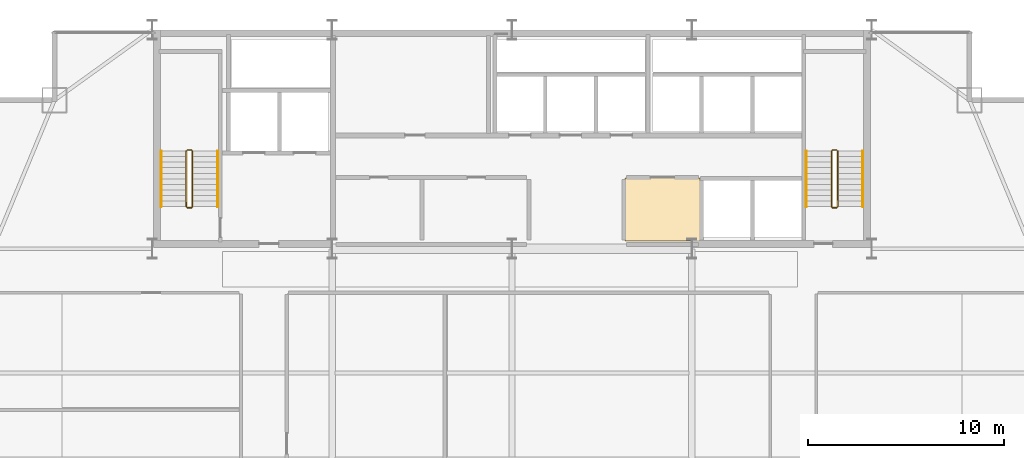
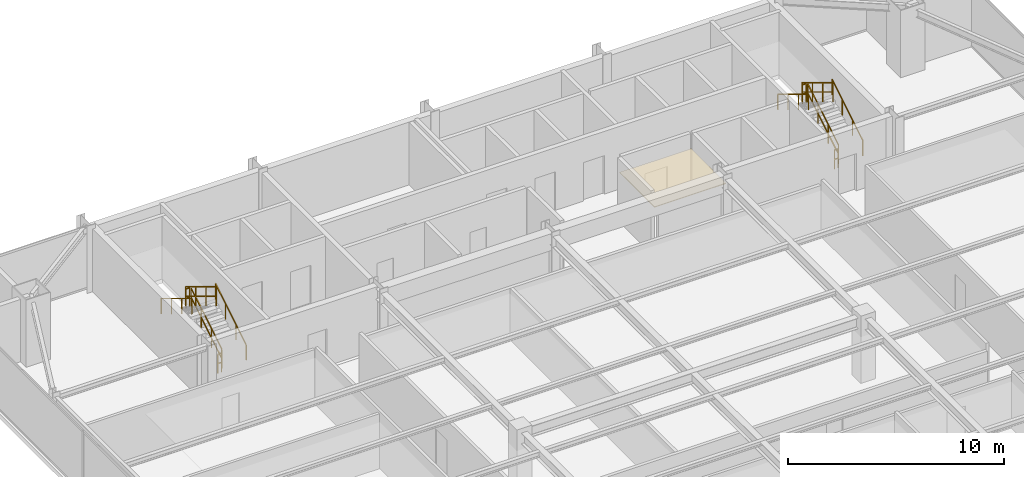
# One storey, part 30 of 30: 12 railings, 1 covering.
"""IFC4 building model written with IfcOpenShell, lengths in metres."""

from ifc_helpers import new_model, si_unit, direction, frame, origin, origin_2d, place, context, subcontext, project, spatial, polyline, rectangle, outline, extrude, material, layer, layer_set, type_object, element, save


model = new_model("IFC4")

# Units and contexts
model_context = context("Model", 3, precision=1e-05, world=origin(), true_north=direction((0.0, 1.0)))
body_context = subcontext(model_context, "Body", "Model", "MODEL_VIEW")
ifc_project = project(units=[si_unit("LENGTHUNIT", "METRE"), si_unit("AREAUNIT", "SQUARE_METRE"), si_unit("VOLUMEUNIT", "CUBIC_METRE"), si_unit("PLANEANGLEUNIT", "RADIAN"), si_unit("MASSUNIT", "GRAM", prefix="KILO")], contexts=[model_context])

# Site, building, storey
site_placement = place(None, origin())
site = spatial("IfcSite", under=ifc_project, at=site_placement, CompositionType="ELEMENT")
building_placement = place(site_placement, origin())
building = spatial("IfcBuilding", under=site, at=building_placement, Name="Varnel Quay Broadcast Tower", CompositionType="ELEMENT")
storey_placement = place(building_placement, frame((0.0, 0.0, 168.60009765625)))
storey = spatial("IfcBuildingStorey", under=building, at=storey_placement, Name="L41", CompositionType="ELEMENT", Elevation=168.60009765625)

# Covering
ifc_material_1 = material(Name="Micro-Perforated Acoustic Ceiling Tile")
ifc_layer = layer(ifc_material_1, 0.0400390625, Name="Micro-Perforated Acoustic Ceiling Tile")
ifc_layer_set = layer_set([ifc_layer], Name="Micro-Perforated Acoustic Ceiling Tile")
covering_type = type_object("IfcCoveringType", Name="Cov_AcousticCeiling", PredefinedType="CEILING", material=ifc_layer_set)
covering_placement = place(storey_placement, frame((0.0, 0.0, 2.579833984375)))
element("IfcCovering", 1, at=covering_placement, inside=storey, type_object=covering_type, Name="L41 Electrical Sub-Distribution Closet Acoustic Ceiling", PredefinedType="CEILING", context=body_context, shape_type="SweptSolid", body=[
    extrude(outline(polyline([(39.784912109375, 35.985107421875), (43.614990234375, 35.985107421875), (43.614990234375, 39.215087890625), (39.784912109375, 39.215087890625), (39.784912109375, 35.985107421875)])), origin(), (0.0, 0.0, 1.0), 0.0400390625),
])

# Railings
ifc_material_2 = material(Name="Painted Steel Guard and Handrail CSA G40.21 350W", Category="steel")
railing_type_1 = type_object("IfcRailingType", Name="Rail_StairGuard1100", PredefinedType="GUARDRAIL", material=ifc_material_2)
railing_1_placement = place(storey_placement, frame((17.64990234375, 37.75, 0.172607421875)))
element("IfcRailing", 2, at=railing_1_placement, inside=storey, type_object=railing_type_1, Name="L41 ST-01 stair guard 1", PredefinedType="GUARDRAIL", context=body_context, shape_type="SweptSolid", body=[
    extrude(rectangle(XDim=0.048095703125, YDim=0.048095703125, at=origin_2d()), frame((0.0, 0.0, 1.076171875), z_axis=(0.0, 0.855202751398, 0.518293598264), x_axis=(-1.0, 0.0, 0.0)), (0.0, 0.0, 1.0), 3.332763671875),
    extrude(rectangle(XDim=0.048095703125, YDim=0.048095703125, at=origin_2d()), frame((0.0, 0.0, 0.550048828125), z_axis=(0.0, 0.855202751398, 0.518293598264), x_axis=(-1.0, 0.0, 0.0)), (0.0, 0.0, 1.0), 3.332763671875),
    extrude(rectangle(XDim=0.0419921875, YDim=0.0419921875, at=origin_2d()), origin(), (0.0, 0.0, 1.0), 1.052001953125),
    extrude(rectangle(XDim=0.0419921875, YDim=0.0419921875, at=origin_2d()), frame((0.0, 0.949951171875, 0.57568359375)), (0.0, 0.0, 1.0), 1.052001953125),
    extrude(rectangle(XDim=0.0419921875, YDim=0.0419921875, at=origin_2d()), frame((0.0, 1.900146484375, 1.151611328125)), (0.0, 0.0, 1.0), 1.052001953125),
    extrude(rectangle(XDim=0.0419921875, YDim=0.0419921875, at=origin_2d()), frame((0.0, 2.85009765625, 1.727294921875)), (0.0, 0.0, 1.0), 1.052001953125),
])
railing_2_placement = place(storey_placement, frame((17.60009765625, 40.64990234375, 1.89990234375)))
element("IfcRailing", 3, at=railing_2_placement, inside=storey, type_object=railing_type_1, Name="L41 ST-01 stair guard 2", PredefinedType="GUARDRAIL", context=body_context, shape_type="SweptSolid", body=[
    extrude(rectangle(XDim=0.048095703125, YDim=0.048095703125, at=origin_2d()), frame((0.0, 0.0, 1.076171875), z_axis=(-1.0, 0.0, 0.0), x_axis=(0.0, -1.0, 0.0)), (0.0, 0.0, 1.0), 0.2001953125),
    extrude(rectangle(XDim=0.048095703125, YDim=0.048095703125, at=origin_2d()), frame((0.0, 0.0, 0.550048828125), z_axis=(-1.0, 0.0, 0.0), x_axis=(0.0, -1.0, 0.0)), (0.0, 0.0, 1.0), 0.2001953125),
    extrude(rectangle(XDim=0.0419921875, YDim=0.0419921875, at=origin_2d()), origin(), (0.0, 0.0, 1.0), 1.052001953125),
    extrude(rectangle(XDim=0.0419921875, YDim=0.0419921875, at=origin_2d()), frame((-0.2001953125, 0.0, 0.0)), (0.0, 0.0, 1.0), 1.052001953125),
])
railing_3_placement = place(storey_placement, frame((17.35009765625, 40.60009765625, 2.072509765625)))
element("IfcRailing", 4, at=railing_3_placement, inside=storey, type_object=railing_type_1, Name="L41 ST-01 stair guard 3", PredefinedType="GUARDRAIL", context=body_context, shape_type="SweptSolid", body=[
    extrude(rectangle(XDim=0.048095703125, YDim=0.048095703125, at=origin_2d()), frame((0.0, 0.0, 1.076171875), z_axis=(0.0, -0.855202751398, 0.518293598264), x_axis=(1.0, 0.0, 0.0)), (0.0, 0.0, 1.0), 3.332763671875),
    extrude(rectangle(XDim=0.048095703125, YDim=0.048095703125, at=origin_2d()), frame((0.0, 0.0, 0.550048828125), z_axis=(0.0, -0.855202751398, 0.518293598264), x_axis=(1.0, 0.0, 0.0)), (0.0, 0.0, 1.0), 3.332763671875),
    extrude(rectangle(XDim=0.0419921875, YDim=0.0419921875, at=origin_2d()), origin(), (0.0, 0.0, 1.0), 1.052001953125),
    extrude(rectangle(XDim=0.0419921875, YDim=0.0419921875, at=origin_2d()), frame((0.0, -0.949951171875, 0.57568359375)), (0.0, 0.0, 1.0), 1.052001953125),
    extrude(rectangle(XDim=0.0419921875, YDim=0.0419921875, at=origin_2d()), frame((0.0, -1.900146484375, 1.151611328125)), (0.0, 0.0, 1.0), 1.052001953125),
    extrude(rectangle(XDim=0.0419921875, YDim=0.0419921875, at=origin_2d()), frame((0.0, -2.85009765625, 1.727294921875)), (0.0, 0.0, 1.0), 1.052001953125),
])
railing_4_placement = place(storey_placement, frame((17.60009765625, 37.699951171875, 0.0)))
element("IfcRailing", 5, at=railing_4_placement, inside=storey, type_object=railing_type_1, Name="L41 ST-01 stair guard 4", PredefinedType="GUARDRAIL", context=body_context, shape_type="SweptSolid", body=[
    extrude(rectangle(XDim=0.048095703125, YDim=0.048095703125, at=origin_2d()), frame((0.0, 0.0, 1.076171875), z_axis=(-1.0, 0.0, 0.0), x_axis=(0.0, -1.0, 0.0)), (0.0, 0.0, 1.0), 0.2001953125),
    extrude(rectangle(XDim=0.048095703125, YDim=0.048095703125, at=origin_2d()), frame((0.0, 0.0, 0.550048828125), z_axis=(-1.0, 0.0, 0.0), x_axis=(0.0, -1.0, 0.0)), (0.0, 0.0, 1.0), 0.2001953125),
    extrude(rectangle(XDim=0.0419921875, YDim=0.0419921875, at=origin_2d()), origin(), (0.0, 0.0, 1.0), 1.052001953125),
    extrude(rectangle(XDim=0.0419921875, YDim=0.0419921875, at=origin_2d()), frame((-0.2001953125, 0.0, 0.0)), (0.0, 0.0, 1.0), 1.052001953125),
])
railing_5_placement = place(storey_placement, frame((50.64990234375, 37.75, 0.172607421875)))
element("IfcRailing", 6, at=railing_5_placement, inside=storey, type_object=railing_type_1, Name="L41 ST-02 stair guard 1", PredefinedType="GUARDRAIL", context=body_context, shape_type="SweptSolid", body=[
    extrude(rectangle(XDim=0.048095703125, YDim=0.048095703125, at=origin_2d()), frame((0.0, 0.0, 1.076171875), z_axis=(0.0, 0.855202751398, 0.518293598264), x_axis=(-1.0, 0.0, 0.0)), (0.0, 0.0, 1.0), 3.332763671875),
    extrude(rectangle(XDim=0.048095703125, YDim=0.048095703125, at=origin_2d()), frame((0.0, 0.0, 0.550048828125), z_axis=(0.0, 0.855202751398, 0.518293598264), x_axis=(-1.0, 0.0, 0.0)), (0.0, 0.0, 1.0), 3.332763671875),
    extrude(rectangle(XDim=0.0419921875, YDim=0.0419921875, at=origin_2d()), origin(), (0.0, 0.0, 1.0), 1.052001953125),
    extrude(rectangle(XDim=0.0419921875, YDim=0.0419921875, at=origin_2d()), frame((0.0, 0.949951171875, 0.57568359375)), (0.0, 0.0, 1.0), 1.052001953125),
    extrude(rectangle(XDim=0.0419921875, YDim=0.0419921875, at=origin_2d()), frame((0.0, 1.900146484375, 1.151611328125)), (0.0, 0.0, 1.0), 1.052001953125),
    extrude(rectangle(XDim=0.0419921875, YDim=0.0419921875, at=origin_2d()), frame((0.0, 2.85009765625, 1.727294921875)), (0.0, 0.0, 1.0), 1.052001953125),
])
railing_6_placement = place(storey_placement, frame((50.60009765625, 40.64990234375, 1.89990234375)))
element("IfcRailing", 7, at=railing_6_placement, inside=storey, type_object=railing_type_1, Name="L41 ST-02 stair guard 2", PredefinedType="GUARDRAIL", context=body_context, shape_type="SweptSolid", body=[
    extrude(rectangle(XDim=0.048095703125, YDim=0.048095703125, at=origin_2d()), frame((0.0, 0.0, 1.076171875), z_axis=(-1.0, 0.0, 0.0), x_axis=(0.0, -1.0, 0.0)), (0.0, 0.0, 1.0), 0.2001953125),
    extrude(rectangle(XDim=0.048095703125, YDim=0.048095703125, at=origin_2d()), frame((0.0, 0.0, 0.550048828125), z_axis=(-1.0, 0.0, 0.0), x_axis=(0.0, -1.0, 0.0)), (0.0, 0.0, 1.0), 0.2001953125),
    extrude(rectangle(XDim=0.0419921875, YDim=0.0419921875, at=origin_2d()), origin(), (0.0, 0.0, 1.0), 1.052001953125),
    extrude(rectangle(XDim=0.0419921875, YDim=0.0419921875, at=origin_2d()), frame((-0.2001953125, 0.0, 0.0)), (0.0, 0.0, 1.0), 1.052001953125),
])
railing_7_placement = place(storey_placement, frame((50.35009765625, 40.60009765625, 2.072509765625)))
element("IfcRailing", 8, at=railing_7_placement, inside=storey, type_object=railing_type_1, Name="L41 ST-02 stair guard 3", PredefinedType="GUARDRAIL", context=body_context, shape_type="SweptSolid", body=[
    extrude(rectangle(XDim=0.048095703125, YDim=0.048095703125, at=origin_2d()), frame((0.0, 0.0, 1.076171875), z_axis=(0.0, -0.855202751398, 0.518293598264), x_axis=(1.0, 0.0, 0.0)), (0.0, 0.0, 1.0), 3.332763671875),
    extrude(rectangle(XDim=0.048095703125, YDim=0.048095703125, at=origin_2d()), frame((0.0, 0.0, 0.550048828125), z_axis=(0.0, -0.855202751398, 0.518293598264), x_axis=(1.0, 0.0, 0.0)), (0.0, 0.0, 1.0), 3.332763671875),
    extrude(rectangle(XDim=0.0419921875, YDim=0.0419921875, at=origin_2d()), origin(), (0.0, 0.0, 1.0), 1.052001953125),
    extrude(rectangle(XDim=0.0419921875, YDim=0.0419921875, at=origin_2d()), frame((0.0, -0.949951171875, 0.57568359375)), (0.0, 0.0, 1.0), 1.052001953125),
    extrude(rectangle(XDim=0.0419921875, YDim=0.0419921875, at=origin_2d()), frame((0.0, -1.900146484375, 1.151611328125)), (0.0, 0.0, 1.0), 1.052001953125),
    extrude(rectangle(XDim=0.0419921875, YDim=0.0419921875, at=origin_2d()), frame((0.0, -2.85009765625, 1.727294921875)), (0.0, 0.0, 1.0), 1.052001953125),
])
railing_8_placement = place(storey_placement, frame((50.60009765625, 37.699951171875, 0.0)))
element("IfcRailing", 9, at=railing_8_placement, inside=storey, type_object=railing_type_1, Name="L41 ST-02 stair guard 4", PredefinedType="GUARDRAIL", context=body_context, shape_type="SweptSolid", body=[
    extrude(rectangle(XDim=0.048095703125, YDim=0.048095703125, at=origin_2d()), frame((0.0, 0.0, 1.076171875), z_axis=(-1.0, 0.0, 0.0), x_axis=(0.0, -1.0, 0.0)), (0.0, 0.0, 1.0), 0.2001953125),
    extrude(rectangle(XDim=0.048095703125, YDim=0.048095703125, at=origin_2d()), frame((0.0, 0.0, 0.550048828125), z_axis=(-1.0, 0.0, 0.0), x_axis=(0.0, -1.0, 0.0)), (0.0, 0.0, 1.0), 0.2001953125),
    extrude(rectangle(XDim=0.0419921875, YDim=0.0419921875, at=origin_2d()), origin(), (0.0, 0.0, 1.0), 1.052001953125),
    extrude(rectangle(XDim=0.0419921875, YDim=0.0419921875, at=origin_2d()), frame((-0.2001953125, 0.0, 0.0)), (0.0, 0.0, 1.0), 1.052001953125),
])
railing_type_2 = type_object("IfcRailingType", Name="Rail_StairHandrail900", PredefinedType="HANDRAIL", material=ifc_material_2)
railing_9_placement = place(storey_placement, frame((18.949951171875, 37.75, 0.172607421875)))
element("IfcRailing", 10, at=railing_9_placement, inside=storey, type_object=railing_type_2, Name="L41 ST-01 stair handrail 1", PredefinedType="HANDRAIL", context=body_context, shape_type="SweptSolid", body=[
    extrude(rectangle(XDim=0.048095703125, YDim=0.048095703125, at=origin_2d()), frame((0.0, 0.0, 0.8759765625), z_axis=(0.0, 0.855202751398, 0.518293598264), x_axis=(-1.0, 0.0, 0.0)), (0.0, 0.0, 1.0), 3.332763671875),
    extrude(rectangle(XDim=0.0419921875, YDim=0.0419921875, at=origin_2d()), origin(), (0.0, 0.0, 1.0), 0.851806640625),
    extrude(rectangle(XDim=0.0419921875, YDim=0.0419921875, at=origin_2d()), frame((0.0, 0.949951171875, 0.57568359375)), (0.0, 0.0, 1.0), 0.851806640625),
    extrude(rectangle(XDim=0.0419921875, YDim=0.0419921875, at=origin_2d()), frame((0.0, 1.900146484375, 1.151611328125)), (0.0, 0.0, 1.0), 0.851806640625),
    extrude(rectangle(XDim=0.0419921875, YDim=0.0419921875, at=origin_2d()), frame((0.0, 2.85009765625, 1.727294921875)), (0.0, 0.0, 1.0), 0.851806640625),
])
railing_10_placement = place(storey_placement, frame((16.050048828125, 40.60009765625, 2.072509765625)))
element("IfcRailing", 11, at=railing_10_placement, inside=storey, type_object=railing_type_2, Name="L41 ST-01 stair handrail 2", PredefinedType="HANDRAIL", context=body_context, shape_type="SweptSolid", body=[
    extrude(rectangle(XDim=0.048095703125, YDim=0.048095703125, at=origin_2d()), frame((0.0, 0.0, 0.8759765625), z_axis=(0.0, -0.855202751398, 0.518293598264), x_axis=(1.0, 0.0, 0.0)), (0.0, 0.0, 1.0), 3.332763671875),
    extrude(rectangle(XDim=0.0419921875, YDim=0.0419921875, at=origin_2d()), origin(), (0.0, 0.0, 1.0), 0.851806640625),
    extrude(rectangle(XDim=0.0419921875, YDim=0.0419921875, at=origin_2d()), frame((0.0, -0.949951171875, 0.57568359375)), (0.0, 0.0, 1.0), 0.851806640625),
    extrude(rectangle(XDim=0.0419921875, YDim=0.0419921875, at=origin_2d()), frame((0.0, -1.900146484375, 1.151611328125)), (0.0, 0.0, 1.0), 0.851806640625),
    extrude(rectangle(XDim=0.0419921875, YDim=0.0419921875, at=origin_2d()), frame((0.0, -2.85009765625, 1.727294921875)), (0.0, 0.0, 1.0), 0.851806640625),
])
railing_11_placement = place(storey_placement, frame((51.949951171875, 37.75, 0.172607421875)))
element("IfcRailing", 12, at=railing_11_placement, inside=storey, type_object=railing_type_2, Name="L41 ST-02 stair handrail 1", PredefinedType="HANDRAIL", context=body_context, shape_type="SweptSolid", body=[
    extrude(rectangle(XDim=0.048095703125, YDim=0.048095703125, at=origin_2d()), frame((0.0, 0.0, 0.8759765625), z_axis=(0.0, 0.855202751398, 0.518293598264), x_axis=(-1.0, 0.0, 0.0)), (0.0, 0.0, 1.0), 3.332763671875),
    extrude(rectangle(XDim=0.0419921875, YDim=0.0419921875, at=origin_2d()), origin(), (0.0, 0.0, 1.0), 0.851806640625),
    extrude(rectangle(XDim=0.0419921875, YDim=0.0419921875, at=origin_2d()), frame((0.0, 0.949951171875, 0.57568359375)), (0.0, 0.0, 1.0), 0.851806640625),
    extrude(rectangle(XDim=0.0419921875, YDim=0.0419921875, at=origin_2d()), frame((0.0, 1.900146484375, 1.151611328125)), (0.0, 0.0, 1.0), 0.851806640625),
    extrude(rectangle(XDim=0.0419921875, YDim=0.0419921875, at=origin_2d()), frame((0.0, 2.85009765625, 1.727294921875)), (0.0, 0.0, 1.0), 0.851806640625),
])
railing_12_placement = place(storey_placement, frame((49.050048828125, 40.60009765625, 2.072509765625)))
element("IfcRailing", 13, at=railing_12_placement, inside=storey, type_object=railing_type_2, Name="L41 ST-02 stair handrail 2", PredefinedType="HANDRAIL", context=body_context, shape_type="SweptSolid", body=[
    extrude(rectangle(XDim=0.048095703125, YDim=0.048095703125, at=origin_2d()), frame((0.0, 0.0, 0.8759765625), z_axis=(0.0, -0.855202751398, 0.518293598264), x_axis=(1.0, 0.0, 0.0)), (0.0, 0.0, 1.0), 3.332763671875),
    extrude(rectangle(XDim=0.0419921875, YDim=0.0419921875, at=origin_2d()), origin(), (0.0, 0.0, 1.0), 0.851806640625),
    extrude(rectangle(XDim=0.0419921875, YDim=0.0419921875, at=origin_2d()), frame((0.0, -0.949951171875, 0.57568359375)), (0.0, 0.0, 1.0), 0.851806640625),
    extrude(rectangle(XDim=0.0419921875, YDim=0.0419921875, at=origin_2d()), frame((0.0, -1.900146484375, 1.151611328125)), (0.0, 0.0, 1.0), 0.851806640625),
    extrude(rectangle(XDim=0.0419921875, YDim=0.0419921875, at=origin_2d()), frame((0.0, -2.85009765625, 1.727294921875)), (0.0, 0.0, 1.0), 0.851806640625),
])

save(model, "model.ifc")
